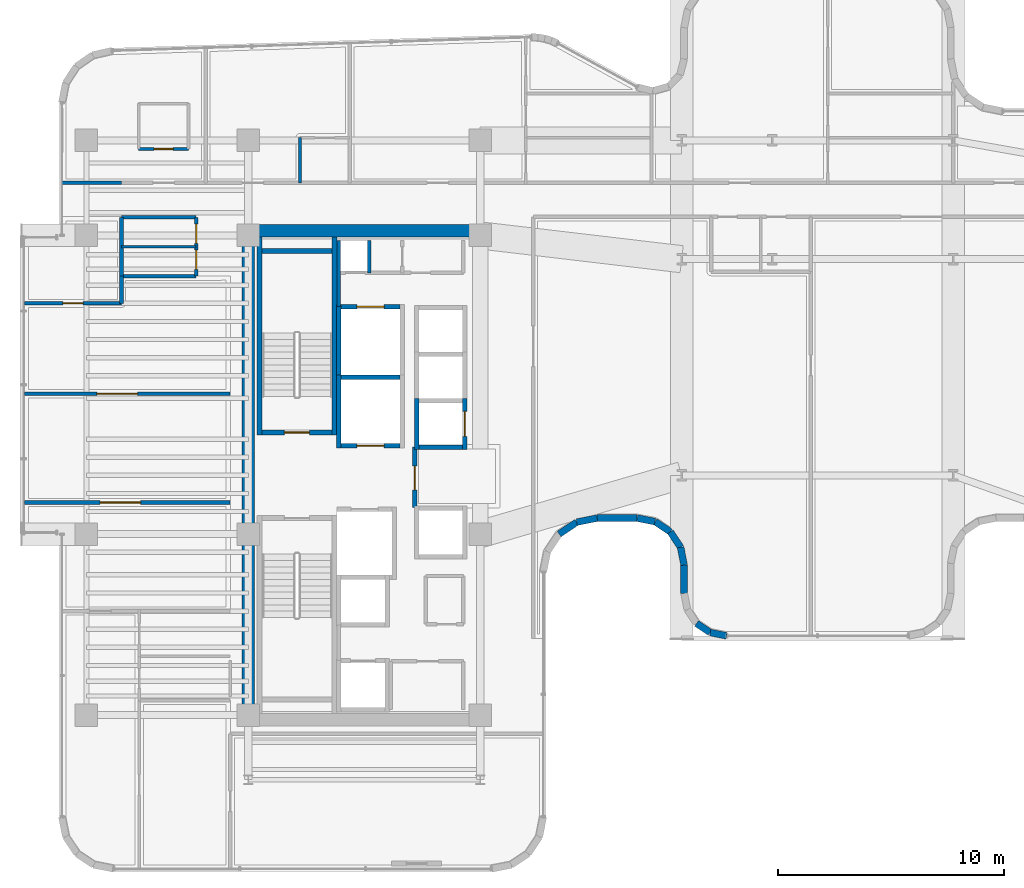
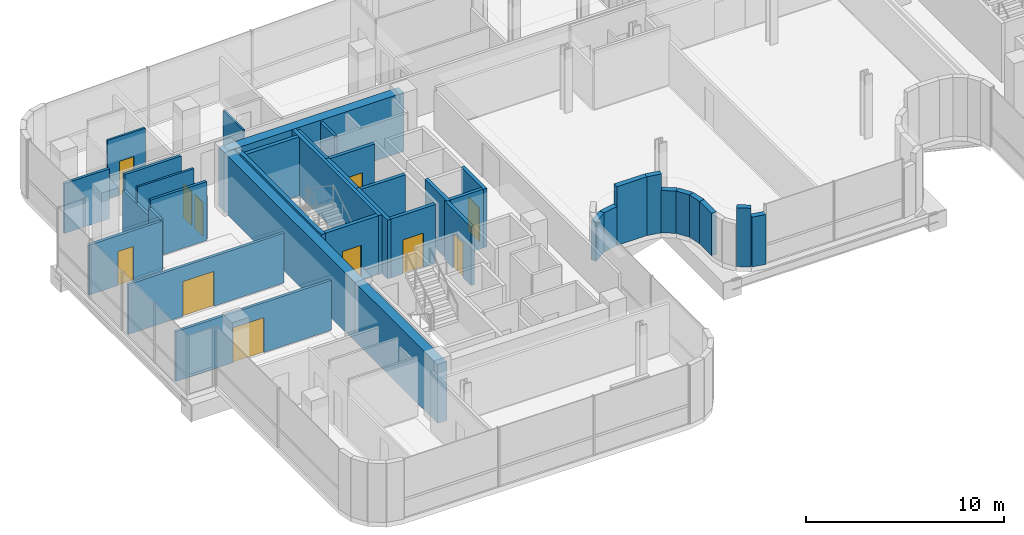
# One storey, part 27 of 38: 39 walls, 11 doors, 11 openings.
"""IFC4 building model written with IfcOpenShell, lengths in metres."""

import ifcopenshell
import ifcopenshell.guid

model = None  # the IFC model being written
_history = None  # IfcOwnerHistory: only IFC2X3 demands one
_inside = {}  # id of a spatial element -> (the spatial element, [elements in it])
_under = {}  # id of a project, library or spatial element -> (it, [spatial elements below it])
_declared = {}  # id of a project -> (the project, [libraries it declares])
_typed = {}  # id of a type object -> (the type object, [elements of that type])
_made_of = {}  # id of a material, layer set ... -> (it, [elements and type objects made of it])


def new_model(schema):
    """Start an empty IFC model of exactly this schema.

    Asked for "IFC4X3", IfcOpenShell would pick the latest addendum, in which some entities
    have other attributes; the version numbers below select the first issue.
    IFC2X3 requires an IfcOwnerHistory on every rooted entity: one is made here for all.
    """
    global model, _history
    if schema == "IFC4X3":
        model = ifcopenshell.file(schema_version=(4, 3, 0, 0))
    else:
        model = ifcopenshell.file(schema=schema)
    _inside.clear()
    _under.clear()
    _declared.clear()
    _typed.clear()
    _made_of.clear()
    _history = None
    if model.schema == "IFC2X3":
        org = make("IfcOrganization", Name="unknown")
        user = make(
            "IfcPersonAndOrganization",
            ThePerson=make("IfcPerson", FamilyName="unknown"),
            TheOrganization=org,
        )
        app = make(
            "IfcApplication",
            ApplicationDeveloper=org,
            Version="unknown",
            ApplicationFullName="unknown",
            ApplicationIdentifier="unknown",
        )
        _history = make(
            "IfcOwnerHistory",
            OwningUser=user,
            OwningApplication=app,
            ChangeAction="ADDED",
            CreationDate=0,
        )
    return model


def make(cls, **values):
    """One entity of the class cls with the attributes given. An attribute that is None is left unset."""
    return model.create_entity(
        cls, **{name: value for name, value in values.items() if value is not None}
    )


def rooted(cls, **values):
    """An entity with a GlobalId (a new one), such as an element, a storey or a relation."""
    return make(cls, GlobalId=ifcopenshell.guid.new(), OwnerHistory=_history, **values)


def si_unit(unit_type, name, prefix=None):
    """IfcSIUnit, for example si_unit("LENGTHUNIT", "METRE", prefix="MILLI")."""
    return make("IfcSIUnit", UnitType=unit_type, Prefix=prefix, Name=name)


def assignment(units):
    """IfcUnitAssignment: the units of a project."""
    return None if units is None else make("IfcUnitAssignment", Units=units)


def point(xyz):
    """IfcCartesianPoint."""
    return None if xyz is None else make("IfcCartesianPoint", Coordinates=xyz)


def direction(xyz):
    """IfcDirection."""
    return None if xyz is None else make("IfcDirection", DirectionRatios=xyz)


def frame(location, z_axis=None, x_axis=None):
    """IfcAxis2Placement3D, a coordinate frame: its origin and axes. An axis left out is left unset."""
    return make(
        "IfcAxis2Placement3D",
        Location=point(location),
        Axis=direction(z_axis),
        RefDirection=direction(x_axis),
    )


def frame_2d(location, x_axis=None):
    """IfcAxis2Placement2D, a coordinate frame in the plane: its origin and x axis."""
    return make(
        "IfcAxis2Placement2D", Location=point(location), RefDirection=direction(x_axis)
    )


def origin():
    """The frame at (0, 0, 0) with its axes left unset."""
    return frame((0.0, 0.0, 0.0))


def place(relative_to, where):
    """IfcLocalPlacement: puts the frame where relative to a parent placement (None: the world)."""
    return make(
        "IfcLocalPlacement", PlacementRelTo=relative_to, RelativePlacement=where
    )


def context(
    kind, dimensions, precision=None, world=None, true_north=None, identifier=None
):
    """IfcGeometricRepresentationContext, for example the 3D "Model" context."""
    return make(
        "IfcGeometricRepresentationContext",
        ContextIdentifier=identifier,
        ContextType=kind,
        CoordinateSpaceDimension=dimensions,
        Precision=precision,
        WorldCoordinateSystem=world,
        TrueNorth=true_north,
    )


def subcontext(parent, identifier, kind, view, scale=None):
    """IfcGeometricRepresentationSubContext, for example "Body" below "Model"."""
    return make(
        "IfcGeometricRepresentationSubContext",
        ContextIdentifier=identifier,
        ContextType=kind,
        ParentContext=parent,
        TargetScale=scale,
        TargetView=view,
    )


def project(units=None, contexts=None):
    """IfcProject with its units and contexts."""
    return rooted(
        "IfcProject",
        Name="project",
        RepresentationContexts=contexts,
        UnitsInContext=assignment(units),
    )


def spatial(cls, under=None, at=None, **own):
    """A site, building, storey or space (cls), placed at a placement, below another one or the project."""
    s = rooted(cls, ObjectPlacement=at, **own)
    if under is not None:
        _under.setdefault(under.id(), (under, []))[1].append(s)
    return s


def profile(cls, at=None, kind="AREA", **sizes):
    """A parametric profile (cls). Its sizes go by their IFC names, for example OverallWidth=200.0."""
    return make(cls, ProfileType=kind, Position=at, **sizes)


def rectangle(**sizes):
    """IfcRectangleProfileDef."""
    return profile("IfcRectangleProfileDef", **sizes)


def extrude(swept, where, along, depth):
    """IfcExtrudedAreaSolid: the profile swept, set in the frame where, extruded along a direction by depth."""
    return make(
        "IfcExtrudedAreaSolid",
        SweptArea=swept,
        Position=where,
        ExtrudedDirection=direction(along),
        Depth=depth,
    )


def shape(context_of_items, identifier, shape_type, items):
    """IfcShapeRepresentation: the items that make up one representation, for example the "Body"."""
    return make(
        "IfcShapeRepresentation",
        ContextOfItems=context_of_items,
        RepresentationIdentifier=identifier,
        RepresentationType=shape_type,
        Items=items,
    )


def material(Name=None, Category=None):
    """IfcMaterial."""
    return make("IfcMaterial", Name=Name, Category=Category)


def layer(
    of_material, thickness, ventilated=None, Name=None, Category=None, Priority=None
):
    """IfcMaterialLayer: one layer of a wall or slab, of a material (None: an air gap)."""
    return make(
        "IfcMaterialLayer",
        Material=of_material,
        LayerThickness=thickness,
        IsVentilated=ventilated,
        Name=Name,
        Category=Category,
        Priority=Priority,
    )


def layer_set(layers, Name=None):
    """IfcMaterialLayerSet."""
    return make("IfcMaterialLayerSet", MaterialLayers=layers, LayerSetName=Name)


def made_of(thing, what):
    """Note that an element or type object is made of a material, layer set ...; save() writes the relation."""
    if what is not None:
        _made_of.setdefault(what.id(), (what, []))[1].append(thing)
    return thing


def type_object(cls, material=None, **own):
    """A type object (cls), such as IfcWallType, which elements share."""
    return made_of(rooted(cls, **own), material)


def element(
    cls,
    number,
    at=None,
    inside=None,
    cuts=None,
    type_object=None,
    material=None,
    context=None,
    identifier="Body",
    shape_type=None,
    held_by="IfcProductDefinitionShape",
    body=None,
    shapes=None,
    **own,
):
    """One element of the class cls, such as IfcWall. Its Tag is "e" and its number.

    at: its placement. inside: the storey or other place that contains it. cuts: it is an
    opening in that element (IfcRelVoidsElement). A single representation is given by context,
    identifier, shape_type and body (its items); several are given by shapes. held_by: the class
    of the entity that holds the representations. save() writes the other relations.
    """
    e = rooted(cls, Tag="e%d" % number, ObjectPlacement=at, **own)
    if body is not None:
        shapes = [shape(context, identifier, shape_type, body)]
    if shapes is not None:
        e.Representation = make(held_by, Representations=shapes)
    if inside is not None:
        _inside.setdefault(inside.id(), (inside, []))[1].append(e)
    if cuts is not None:
        rooted(
            "IfcRelVoidsElement", RelatingBuildingElement=cuts, RelatedOpeningElement=e
        )
    if type_object is not None:
        _typed.setdefault(type_object.id(), (type_object, []))[1].append(e)
    return made_of(e, material)


def fill(opening, filler):
    """IfcRelFillsElement: the door or window that sits in an opening."""
    return rooted(
        "IfcRelFillsElement",
        RelatingOpeningElement=opening,
        RelatedBuildingElement=filler,
    )


def aggregate(whole, parts):
    """IfcRelAggregates: a whole, such as a stair, and the parts it consists of."""
    return rooted("IfcRelAggregates", RelatingObject=whole, RelatedObjects=parts)


def save(model, path):
    """Write the relations noted so far, then the file.

    IfcRelAggregates (storeys below a building ...), IfcRelContainedInSpatialStructure (elements
    in a storey), IfcRelDefinesByType, IfcRelAssociatesMaterial and IfcRelDeclares: one each for
    every whole, place, type object, material and project.
    """
    for whole, parts in _under.values():
        aggregate(whole, parts)
    for where, things in _inside.values():
        rooted(
            "IfcRelContainedInSpatialStructure",
            RelatedElements=things,
            RelatingStructure=where,
        )
    for kind, things in _typed.values():
        rooted("IfcRelDefinesByType", RelatedObjects=things, RelatingType=kind)
    for what, things in _made_of.values():
        rooted("IfcRelAssociatesMaterial", RelatedObjects=things, RelatingMaterial=what)
    for by, libraries in _declared.values():
        rooted("IfcRelDeclares", RelatingContext=by, RelatedDefinitions=libraries)
    model.write(path)


model = new_model("IFC4")

# Units and contexts
model_context = context("Model", 3, precision=1e-05, world=origin(), true_north=direction((0.0, 1.0)))
body_context = subcontext(model_context, "Body", "Model", "MODEL_VIEW")
ifc_project = project(units=[si_unit("LENGTHUNIT", "METRE"), si_unit("AREAUNIT", "SQUARE_METRE"), si_unit("VOLUMEUNIT", "CUBIC_METRE"), si_unit("PLANEANGLEUNIT", "RADIAN"), si_unit("MASSUNIT", "GRAM", prefix="KILO")], contexts=[model_context])

# Site, building, storey
site_placement = place(None, origin())
site = spatial("IfcSite", under=ifc_project, at=site_placement, CompositionType="ELEMENT")
building_placement = place(site_placement, origin())
building = spatial("IfcBuilding", under=site, at=building_placement, Name="Valdorenza Pilgrim Sanctuary Tower", CompositionType="ELEMENT")
storey_placement = place(building_placement, frame((0.0, 0.0, 180.5)))
storey = spatial("IfcBuildingStorey", under=building, at=storey_placement, Name="L46", CompositionType="ELEMENT", Elevation=180.5)

# Walls
ifc_material_1 = material(Name="Acoustic twin-stud gypsum partition", Category="gypsum")
ifc_layer_1 = layer(ifc_material_1, 0.159912109375, Name="Acoustic twin-stud gypsum partition")
ifc_layer_set_1 = layer_set([ifc_layer_1], Name="Acoustic twin-stud gypsum partition")
wall_type_1 = type_object("IfcWallType", Name="WAL-COR-160", PredefinedType="PARTITIONING", material=ifc_layer_set_1)
wall_1_placement = place(storey_placement, frame((-18.64990234375, 7.449951171875, 0.0), z_axis=(0.0, 0.0, 1.0), x_axis=(0.0, 1.0, 0.0)))
element("IfcWall", 1, at=wall_1_placement, inside=storey, type_object=wall_type_1, Name="L46 Core A North Service West Wall", PredefinedType="PARTITIONING", context=body_context, shape_type="SweptSolid", body=[
    extrude(rectangle(XDim=2.929931640625, YDim=0.159912109375, at=frame_2d((1.46484375, 0.0))), origin(), (0.0, 0.0, 1.0), 3.6298828125),
])
wall_2_placement = place(storey_placement, frame((-17.300048828125, 8.949951171875, 0.0), z_axis=(0.0, 0.0, 1.0), x_axis=(0.0, 1.0, 0.0)))
element("IfcWall", 2, at=wall_2_placement, inside=storey, type_object=wall_type_1, Name="L46 Core Electrical Riser Wall", PredefinedType="PARTITIONING", context=body_context, shape_type="SweptSolid", body=[
    extrude(rectangle(XDim=1.429931640625, YDim=0.159912109375, at=frame_2d((0.71484375, 0.0))), origin(), (0.0, 0.0, 1.0), 3.6298828125),
])
wall_3_placement = place(storey_placement, frame((-28.25, 8.800048828125, 0.0), z_axis=(0.0, 0.0, 1.0), x_axis=(0.0, 1.0, 0.0)))
element("IfcWall", 3, at=wall_3_placement, inside=storey, type_object=wall_type_1, Name="L46 Washroom West Wall", PredefinedType="PARTITIONING", context=body_context, shape_type="SweptSolid", body=[
    extrude(rectangle(XDim=2.599853515625, YDim=0.159912109375, at=frame_2d((1.2998046875, 0.0))), origin(), (0.0, 0.0, 1.0), 2.6650390625),
])

# Wall, openings, doors
wall_4_placement = place(storey_placement, frame((-24.949951171875, 8.800048828125, 0.0), z_axis=(0.0, 0.0, 1.0), x_axis=(0.0, 1.0, 0.0)))
wall_4 = element("IfcWall", 4, at=wall_4_placement, inside=storey, type_object=wall_type_1, Name="L46 Washroom East Wall", PredefinedType="PARTITIONING", context=body_context, shape_type="SweptSolid", body=[
    extrude(rectangle(XDim=2.599853515625, YDim=0.159912109375, at=frame_2d((1.2998046875, 0.0))), origin(), (0.0, 0.0, 1.0), 2.6650390625),
])
opening_1_placement = place(wall_4_placement, frame((0.300048828125, 0.0, 0.0)))
opening_1 = element("IfcOpeningElement", 5, at=opening_1_placement, cuts=wall_4, Name="Opening DR-WC1", PredefinedType="OPENING", context=body_context, shape_type="SweptSolid", body=[
    extrude(rectangle(XDim=0.85009765625, YDim=2.10009765625, at=frame_2d((0.425048828125, 1.050048828125))), frame((0.0, 0.0947265625, 0.0), z_axis=(0.0, -1.0, 0.0), x_axis=(1.0, 0.0, 0.0)), (0.0, 0.0, 1.0), 0.189697265625),
])
opening_2_placement = place(wall_4_placement, frame((1.449951171875, 0.0, 0.0)))
opening_2 = element("IfcOpeningElement", 6, at=opening_2_placement, cuts=wall_4, Name="Opening DR-WC1", PredefinedType="OPENING", context=body_context, shape_type="SweptSolid", body=[
    extrude(rectangle(XDim=0.85009765625, YDim=2.10009765625, at=frame_2d((0.425048828125, 1.050048828125))), frame((0.0, 0.0947265625, 0.0), z_axis=(0.0, -1.0, 0.0), x_axis=(1.0, 0.0, 0.0)), (0.0, 0.0, 1.0), 0.189697265625),
])
ifc_material_2 = material(Name="Moisture-resistant lacquered timber", Category="wood")
door_type_1 = type_object("IfcDoorType", Name="DR-BATH-850", OperationType="NOTDEFINED", PredefinedType="DOOR", material=ifc_material_2)
door_1_placement = place(opening_1_placement, origin())
door_1 = element("IfcDoor", 7, at=door_1_placement, inside=storey, type_object=door_type_1, Name="L46 Accessible Washroom Door", OperationType="SINGLE_SWING_LEFT", OverallHeight=2.10009765625, OverallWidth=0.85009765625, PredefinedType="DOOR", context=body_context, shape_type="SweptSolid", body=[
    extrude(rectangle(XDim=0.85009765625, YDim=2.10009765625, at=frame_2d((0.425048828125, 1.050048828125))), frame((0.0, 0.02490234375, 0.0), z_axis=(0.0, -1.0, 0.0), x_axis=(1.0, 0.0, 0.0)), (0.0, 0.0, 1.0), 0.050048828125),
])
fill(opening_1, door_1)
door_2_placement = place(opening_2_placement, origin())
door_2 = element("IfcDoor", 8, at=door_2_placement, inside=storey, type_object=door_type_1, Name="L46 Public Washroom Door", OperationType="SINGLE_SWING_RIGHT", OverallHeight=2.10009765625, OverallWidth=0.85009765625, PredefinedType="DOOR", context=body_context, shape_type="SweptSolid", body=[
    extrude(rectangle(XDim=0.85009765625, YDim=2.10009765625, at=frame_2d((0.425048828125, 1.050048828125))), frame((0.0, 0.02490234375, 0.0), z_axis=(0.0, -1.0, 0.0), x_axis=(1.0, 0.0, 0.0)), (0.0, 0.0, 1.0), 0.050048828125),
])
fill(opening_2, door_2)

# Walls
for number, where, z_axis, x_axis, name in (
    (9, (-28.25, 8.800048828125, 0.0), (0.0, 0.0, 1.0), (1.0, 0.0, 0.0), "L46 Washroom South Wall"),
    (10, (-28.25, 11.39990234375, 0.0), (0.0, 0.0, 1.0), (1.0, 0.0, 0.0), "L46 Washroom North Wall"),
):
    element("IfcWall", number, at=place(storey_placement, frame(where, z_axis=z_axis, x_axis=x_axis)), inside=storey, type_object=wall_type_1, Name=name, PredefinedType="PARTITIONING", context=body_context, shape_type="SweptSolid", body=[
        extrude(rectangle(XDim=3.300048828125, YDim=0.159912109375, at=frame_2d((1.64990234375, 0.0))), origin(), (0.0, 0.0, 1.0), 3.6298828125),
    ])

# Wall, opening, door
wall_5_placement = place(storey_placement, frame((-32.5400390625, 7.60009765625, 0.0), z_axis=(0.0, 0.0, 1.0), x_axis=(1.0, 0.0, 0.0)))
wall_5 = element("IfcWall", 11, at=wall_5_placement, inside=storey, type_object=wall_type_1, Name="L46 Cloister North Room Wall", PredefinedType="PARTITIONING", context=body_context, shape_type="SweptSolid", body=[
    extrude(rectangle(XDim=4.2900390625, YDim=0.159912109375, at=frame_2d((2.14501953125, 0.0))), origin(), (0.0, 0.0, 1.0), 3.075927734375),
])
opening_3_placement = place(wall_5_placement, frame((1.695068359375, 0.0, 0.0)))
opening_3 = element("IfcOpeningElement", 12, at=opening_3_placement, cuts=wall_5, Name="Opening DR-RM1", PredefinedType="OPENING", context=body_context, shape_type="SweptSolid", body=[
    extrude(rectangle(XDim=0.89990234375, YDim=2.10009765625, at=frame_2d((0.449951171875, 1.050048828125))), frame((0.0, 0.0947265625, 0.0), z_axis=(0.0, -1.0, 0.0), x_axis=(1.0, 0.0, 0.0)), (0.0, 0.0, 1.0), 0.189697265625),
])
ifc_material_3 = material(Name="Solid-core European oak timber", Category="wood")
door_type_2 = type_object("IfcDoorType", Name="DR-ROOM-900", OperationType="NOTDEFINED", PredefinedType="DOOR", material=ifc_material_3)
door_3_placement = place(opening_3_placement, frame((0.89990234375, 0.0, 0.0), z_axis=(0.0, 0.0, 1.0), x_axis=(-1.0, 0.0, 0.0)))
door_3 = element("IfcDoor", 13, at=door_3_placement, inside=storey, type_object=door_type_2, Name="L46 Pilgrim Scholar Office L46-1 Door", OperationType="SINGLE_SWING_LEFT", OverallHeight=2.10009765625, OverallWidth=0.89990234375, PredefinedType="DOOR", context=body_context, shape_type="SweptSolid", body=[
    extrude(rectangle(XDim=0.89990234375, YDim=2.10009765625, at=frame_2d((0.449951171875, 1.050048828125))), frame((0.0, 0.02490234375, 0.0), z_axis=(0.0, -1.0, 0.0), x_axis=(1.0, 0.0, 0.0)), (0.0, 0.0, 1.0), 0.050048828125),
])
fill(opening_3, door_3)

# Wall
wall_6_placement = place(storey_placement, frame((-28.25, 7.60009765625, 0.0), z_axis=(0.0, 0.0, 1.0), x_axis=(0.0, 1.0, 0.0)))
element("IfcWall", 14, at=wall_6_placement, inside=storey, type_object=wall_type_1, Name="L46 Cloister NE Closure", PredefinedType="PARTITIONING", context=body_context, shape_type="SweptSolid", body=[
    extrude(rectangle(XDim=1.199951171875, YDim=0.159912109375, at=frame_2d((0.60009765625, 0.0))), origin(), (0.0, 0.0, 1.0), 3.157958984375),
])

# Wall, opening, door
wall_7_placement = place(storey_placement, frame((-32.5400390625, -1.199951171875, 0.0), z_axis=(0.0, 0.0, 1.0), x_axis=(1.0, 0.0, 0.0)))
wall_7 = element("IfcWall", 15, at=wall_7_placement, inside=storey, type_object=wall_type_1, Name="L46 Cloister Mid Wall 1", PredefinedType="PARTITIONING", context=body_context, shape_type="SweptSolid", body=[
    extrude(rectangle(XDim=9.090087890625, YDim=0.159912109375, at=frame_2d((4.544921875, 0.0))), origin(), (0.0, 0.0, 1.0), 3.075927734375),
])
opening_4_placement = place(wall_7_placement, frame((3.340087890625, 0.0, 0.0)))
opening_4 = element("IfcOpeningElement", 16, at=opening_4_placement, cuts=wall_7, Name="Opening DR-HL1", PredefinedType="OPENING", context=body_context, shape_type="SweptSolid", body=[
    extrude(rectangle(XDim=1.800048828125, YDim=2.14990234375, at=frame_2d((0.89990234375, 1.074951171875))), frame((0.0, 0.0947265625, 0.0), z_axis=(0.0, -1.0, 0.0), x_axis=(1.0, 0.0, 0.0)), (0.0, 0.0, 1.0), 0.189697265625),
])
ifc_material_4 = material(Name="Acoustic oak and vision-glass double door", Category="glass")
door_type_3 = type_object("IfcDoorType", Name="DR-HALL-1800", OperationType="NOTDEFINED", PredefinedType="DOOR", material=ifc_material_4)
door_4_placement = place(opening_4_placement, origin())
door_4 = element("IfcDoor", 17, at=door_4_placement, inside=storey, type_object=door_type_3, Name="L46 Cloister South-Mid Double Door", OperationType="DOUBLE_DOOR_SINGLE_SWING", OverallHeight=2.14990234375, OverallWidth=1.800048828125, PredefinedType="DOOR", context=body_context, shape_type="SweptSolid", body=[
    extrude(rectangle(XDim=1.800048828125, YDim=2.14990234375, at=frame_2d((0.89990234375, 1.074951171875))), frame((0.0, 0.02490234375, 0.0), z_axis=(0.0, -1.0, 0.0), x_axis=(1.0, 0.0, 0.0)), (0.0, 0.0, 1.0), 0.050048828125),
])
fill(opening_4, door_4)

wall_8_placement = place(storey_placement, frame((-32.5400390625, 3.60009765625, 0.0), z_axis=(0.0, 0.0, 1.0), x_axis=(1.0, 0.0, 0.0)))
wall_8 = element("IfcWall", 18, at=wall_8_placement, inside=storey, type_object=wall_type_1, Name="L46 Cloister Mid Wall 2", PredefinedType="PARTITIONING", context=body_context, shape_type="SweptSolid", body=[
    extrude(rectangle(XDim=9.090087890625, YDim=0.159912109375, at=frame_2d((4.544921875, 0.0))), origin(), (0.0, 0.0, 1.0), 3.075927734375),
])
opening_5_placement = place(wall_8_placement, frame((3.199951171875, 0.0, 0.0)))
opening_5 = element("IfcOpeningElement", 19, at=opening_5_placement, cuts=wall_8, Name="Opening DR-HL1", PredefinedType="OPENING", context=body_context, shape_type="SweptSolid", body=[
    extrude(rectangle(XDim=1.800048828125, YDim=2.14990234375, at=frame_2d((0.89990234375, 1.074951171875))), frame((0.0, 0.0947265625, 0.0), z_axis=(0.0, -1.0, 0.0), x_axis=(1.0, 0.0, 0.0)), (0.0, 0.0, 1.0), 0.189697265625),
])
door_5_placement = place(opening_5_placement, frame((1.800048828125, 0.0, 0.0), z_axis=(0.0, 0.0, 1.0), x_axis=(-1.0, 0.0, 0.0)))
door_5 = element("IfcDoor", 20, at=door_5_placement, inside=storey, type_object=door_type_3, Name="L46 Cloister Mid-North Double Door", OperationType="DOUBLE_DOOR_SINGLE_SWING", OverallHeight=2.14990234375, OverallWidth=1.800048828125, PredefinedType="DOOR", context=body_context, shape_type="SweptSolid", body=[
    extrude(rectangle(XDim=1.800048828125, YDim=2.14990234375, at=frame_2d((0.89990234375, 1.074951171875))), frame((0.0, 0.02490234375, 0.0), z_axis=(0.0, -1.0, 0.0), x_axis=(1.0, 0.0, 0.0)), (0.0, 0.0, 1.0), 0.050048828125),
])
fill(opening_5, door_5)

# Walls
wall_9_placement = place(storey_placement, frame((-30.889892578125, 12.919921875, 0.0), z_axis=(0.0, 0.0, 1.0), x_axis=(1.0, 0.0, 0.0)))
element("IfcWall", 21, at=wall_9_placement, inside=storey, type_object=wall_type_1, Name="L46 Cloister North Solid Partition", PredefinedType="PARTITIONING", context=body_context, shape_type="SweptSolid", body=[
    extrude(rectangle(XDim=2.639892578125, YDim=0.159912109375, at=frame_2d((1.31982421875, 0.0))), origin(), (0.0, 0.0, 1.0), 3.075927734375),
])
ifc_material_5 = material(Name="Concrete C50/60", Category="concrete")
ifc_layer_2 = layer(ifc_material_5, 0.550048828125, Name="Concrete C50/60")
ifc_layer_set_2 = layer_set([ifc_layer_2], Name="Concrete C50/60")
wall_type_2 = type_object("IfcWallType", Name="WAL-COR-550", PredefinedType="SHEAR", material=ifc_layer_set_2)
wall_10_placement = place(storey_placement, frame((-22.64990234375, -11.074951171875, 0.0), z_axis=(0.0, 0.0, 1.0), x_axis=(0.0, 1.0, 0.0)))
element("IfcWall", 22, at=wall_10_placement, inside=storey, type_object=wall_type_2, Name="L46 Split Core A Shear Wall W", PredefinedType="SHEAR", context=body_context, shape_type="SweptSolid", body=[
    extrude(rectangle(XDim=22.14990234375, YDim=0.550048828125, at=frame_2d((11.074951171875, 0.0))), origin(), (0.0, 0.0, 1.0), 3.6298828125),
])
wall_11_placement = place(storey_placement, frame((-22.64990234375, 10.800048828125, 0.0), z_axis=(0.0, 0.0, 1.0), x_axis=(1.0, 0.0, 0.0)))
element("IfcWall", 23, at=wall_11_placement, inside=storey, type_object=wall_type_2, Name="L46 Split Core A Shear Wall N", PredefinedType="SHEAR", context=body_context, shape_type="SweptSolid", body=[
    extrude(rectangle(XDim=10.25, YDim=0.550048828125, at=frame_2d((5.125, 0.0))), origin(), (0.0, 0.0, 1.0), 3.6298828125),
])
ifc_material_6 = material(Name="Honed travertine limestone", Category="masonry")
ifc_layer_3 = layer(ifc_material_6, 0.300048828125, Name="Honed travertine limestone")
ifc_layer_set_3 = layer_set([ifc_layer_3], Name="Honed travertine limestone")
wall_type_3 = type_object("IfcWallType", Name="WAL-EXT-300", PredefinedType="SOLIDWALL", material=ifc_layer_set_3)
wall_12_placement = place(storey_placement, frame((-1.51318359375, -7.090087890625, 0.0), z_axis=(0.0, 0.0, 1.0), x_axis=(-0.980783640462, 0.195098566376, 0.0)))
element("IfcWall", 24, at=wall_12_placement, inside=storey, type_object=wall_type_3, Name="L46 Rounded Wind-Corner Stone Pier 63", PredefinedType="SOLIDWALL", context=body_context, shape_type="SweptSolid", body=[
    extrude(rectangle(XDim=0.73828125, YDim=0.300048828125, at=frame_2d((0.369140625, 0.0))), origin(), (0.0, 0.0, 1.0), 3.075927734375),
])
wall_13_placement = place(storey_placement, frame((-2.2373046875, -6.946044921875, 0.0), z_axis=(0.0, 0.0, 1.0), x_axis=(-0.831378135196, 0.555707113792, 0.0)))
element("IfcWall", 25, at=wall_13_placement, inside=storey, type_object=wall_type_3, Name="L46 Rounded Wind-Corner Stone Pier 64", PredefinedType="SOLIDWALL", context=body_context, shape_type="SweptSolid", body=[
    extrude(rectangle(XDim=0.72705078125, YDim=0.300048828125, at=frame_2d((0.363525390625, 0.0))), origin(), (0.0, 0.0, 1.0), 3.6298828125),
])
wall_14_placement = place(storey_placement, frame((-3.389892578125, -5.213134765625, 0.0), z_axis=(0.0, 0.0, 1.0), x_axis=(0.0, 1.0, 0.0)))
element("IfcWall", 26, at=wall_14_placement, inside=storey, type_object=wall_type_3, Name="L46 Rounded Wind-Corner Stone Pier 67", PredefinedType="SOLIDWALL", context=body_context, shape_type="SweptSolid", body=[
    extrude(rectangle(XDim=1.248046875, YDim=0.300048828125, at=frame_2d((0.6240234375, 0.0))), origin(), (0.0, 0.0, 1.0), 2.614990234375),
])
wall_15_placement = place(storey_placement, frame((-3.389892578125, -3.965087890625, 0.0), z_axis=(0.0, 0.0, 1.0), x_axis=(-0.195356525272, 0.980732291726, 0.0)))
element("IfcWall", 27, at=wall_15_placement, inside=storey, type_object=wall_type_3, Name="L46 Rounded Wind-Corner Stone Pier 68", PredefinedType="SOLIDWALL", context=body_context, shape_type="SweptSolid", body=[
    extrude(rectangle(XDim=0.803466796875, YDim=0.300048828125, at=frame_2d((0.40185546875, 0.0))), origin(), (0.0, 0.0, 1.0), 2.614990234375),
])
for number, where, z_axis, x_axis, name in (
    (28, (-3.546875, -3.177001953125, 0.0), (0.0, 0.0, 1.0), (-0.555529688413, 0.831496701913, 0.0), "L46 Rounded Wind-Corner Stone Pier 69"),
    (29, (-3.99951171875, -2.49951171875, 0.0), (0.0, 0.0, 1.0), (-0.831496701913, 0.555529688413, 0.0), "L46 Rounded Wind-Corner Stone Pier 70"),
):
    element("IfcWall", number, at=place(storey_placement, frame(where, z_axis=z_axis, x_axis=x_axis)), inside=storey, type_object=wall_type_3, Name=name, PredefinedType="SOLIDWALL", context=body_context, shape_type="SweptSolid", body=[
        extrude(rectangle(XDim=0.814697265625, YDim=0.300048828125, at=frame_2d((0.4072265625, 0.0))), origin(), (0.0, 0.0, 1.0), 2.614990234375),
    ])
wall_16_placement = place(storey_placement, frame((-4.677001953125, -2.046875, 0.0), z_axis=(0.0, 0.0, 1.0), x_axis=(-0.980732291726, 0.195356525272, 0.0)))
element("IfcWall", 30, at=wall_16_placement, inside=storey, type_object=wall_type_3, Name="L46 Rounded Wind-Corner Stone Pier 71", PredefinedType="SOLIDWALL", context=body_context, shape_type="SweptSolid", body=[
    extrude(rectangle(XDim=0.803466796875, YDim=0.300048828125, at=frame_2d((0.40185546875, 0.0))), origin(), (0.0, 0.0, 1.0), 3.6298828125),
])
wall_17_placement = place(storey_placement, frame((-5.465087890625, -1.889892578125, 0.0), z_axis=(0.0, 0.0, 1.0), x_axis=(-1.0, 0.0, 0.0)))
element("IfcWall", 31, at=wall_17_placement, inside=storey, type_object=wall_type_3, Name="L46 Rounded Wind-Corner Stone Pier 72", PredefinedType="SOLIDWALL", context=body_context, shape_type="SweptSolid", body=[
    extrude(rectangle(XDim=1.765625, YDim=0.300048828125, at=frame_2d((0.8828125, 0.0))), origin(), (0.0, 0.0, 1.0), 3.6298828125),
])
wall_18_placement = place(storey_placement, frame((-7.230712890625, -1.889892578125, 0.0), z_axis=(0.0, 0.0, 1.0), x_axis=(-0.980743190895, -0.195301801101, 0.0)))
element("IfcWall", 32, at=wall_18_placement, inside=storey, type_object=wall_type_3, Name="L46 Rounded Wind-Corner Stone Pier 73", PredefinedType="SOLIDWALL", context=body_context, shape_type="SweptSolid", body=[
    extrude(rectangle(XDim=0.922607421875, YDim=0.300048828125, at=frame_2d((0.46142578125, 0.0))), origin(), (0.0, 0.0, 1.0), 2.4150390625),
])
wall_19_placement = place(storey_placement, frame((-8.135498046875, -2.070068359375, 0.0), z_axis=(0.0, 0.0, 1.0), x_axis=(-0.831607331814, -0.555364065883, 0.0)))
element("IfcWall", 33, at=wall_19_placement, inside=storey, type_object=wall_type_3, Name="L46 Rounded Wind-Corner Stone Pier 74", PredefinedType="SOLIDWALL", context=body_context, shape_type="SweptSolid", body=[
    extrude(rectangle(XDim=0.933349609375, YDim=0.300048828125, at=frame_2d((0.466796875, 0.0))), origin(), (0.0, 0.0, 1.0), 2.4150390625),
])

# Wall, opening, door
ifc_material_7 = material(Name="Gypsum shaftwall partition", Category="gypsum")
ifc_layer_4 = layer(ifc_material_7, 0.199951171875, Name="Gypsum shaftwall partition")
ifc_layer_set_4 = layer_set([ifc_layer_4], Name="Gypsum shaftwall partition")
wall_type_4 = type_object("IfcWallType", Name="WAL-FFL-200", PredefinedType="PARTITIONING", material=ifc_layer_set_4)
wall_20_placement = place(storey_placement, frame((-15.300048828125, -1.419921875, 0.0), z_axis=(0.0, 0.0, 1.0), x_axis=(0.0, 1.0, 0.0)))
wall_20 = element("IfcWall", 34, at=wall_20_placement, inside=storey, type_object=wall_type_4, Name="L46 Core A Firefighting Lobby East Wall", PredefinedType="PARTITIONING", context=body_context, shape_type="SweptSolid", body=[
    extrude(rectangle(XDim=2.669921875, YDim=0.199951171875, at=frame_2d((1.3349609375, 0.0))), origin(), (0.0, 0.0, 1.0), 3.6298828125),
])
opening_6_placement = place(wall_20_placement, frame((0.780029296875, 0.0, 0.0)))
opening_6 = element("IfcOpeningElement", 35, at=opening_6_placement, cuts=wall_20, Name="Opening DR-FL1", PredefinedType="OPENING", context=body_context, shape_type="SweptSolid", body=[
    extrude(rectangle(XDim=1.050048828125, YDim=2.14990234375, at=frame_2d((0.52490234375, 1.074951171875))), frame((0.0, 0.11474609375, 0.0), z_axis=(0.0, -1.0, 0.0), x_axis=(1.0, 0.0, 0.0)), (0.0, 0.0, 1.0), 0.229736328125),
])
ifc_material_8 = material(Name="Painted galvanized steel", Category="steel")
door_type_4 = type_object("IfcDoorType", Name="DR-FFL-1050", OperationType="NOTDEFINED", PredefinedType="DOOR", material=ifc_material_8)
door_6_placement = place(opening_6_placement, origin())
door_6 = element("IfcDoor", 36, at=door_6_placement, inside=storey, type_object=door_type_4, Name="L46 Core A Firefighting Lobby Door", OperationType="SINGLE_SWING_RIGHT", OverallHeight=2.14990234375, OverallWidth=1.050048828125, PredefinedType="DOOR", context=body_context, shape_type="SweptSolid", body=[
    extrude(rectangle(XDim=1.050048828125, YDim=2.14990234375, at=frame_2d((0.52490234375, 1.074951171875))), frame((0.0, 0.02490234375, 0.0), z_axis=(0.0, -1.0, 0.0), x_axis=(1.0, 0.0, 0.0)), (0.0, 0.0, 1.0), 0.050048828125),
])
fill(opening_6, door_6)

# Wall
ifc_material_9 = material(Name="Moisture-resistant gypsum partition", Category="gypsum")
ifc_layer_5 = layer(ifc_material_9, 0.1201171875, Name="Moisture-resistant gypsum partition")
ifc_layer_set_5 = layer_set([ifc_layer_5], Name="Moisture-resistant gypsum partition")
wall_type_5 = type_object("IfcWallType", Name="WAL-INT-120", PredefinedType="PARTITIONING", material=ifc_layer_set_5)
wall_21_placement = place(storey_placement, frame((-28.25, 10.10009765625, 0.0), z_axis=(0.0, 0.0, 1.0), x_axis=(1.0, 0.0, 0.0)))
element("IfcWall", 37, at=wall_21_placement, inside=storey, type_object=wall_type_5, Name="L46 Washroom Divider Wall", PredefinedType="PARTITIONING", context=body_context, shape_type="SweptSolid", body=[
    extrude(rectangle(XDim=3.300048828125, YDim=0.1201171875, at=frame_2d((1.64990234375, 0.0))), origin(), (0.0, 0.0, 1.0), 3.6298828125),
])

# Wall, opening, door
wall_22_placement = place(storey_placement, frame((-27.4892578125, 14.419921875, 0.0), z_axis=(0.0, 0.0, 1.0), x_axis=(1.0, 0.0, 0.0)))
wall_22 = element("IfcWall", 38, at=wall_22_placement, inside=storey, type_object=wall_type_5, Name="L46 North Family Guest Room L46-N1A En-suite Door Wall", PredefinedType="PARTITIONING", context=body_context, shape_type="SweptSolid", body=[
    extrude(rectangle(XDim=2.199951171875, YDim=0.1201171875, at=frame_2d((1.10009765625, 0.0))), origin(), (0.0, 0.0, 1.0), 3.6298828125),
])
opening_7_placement = place(wall_22_placement, frame((0.675048828125, 0.0, 0.0)))
opening_7 = element("IfcOpeningElement", 39, at=opening_7_placement, cuts=wall_22, Name="Opening DR-WC1", PredefinedType="OPENING", context=body_context, shape_type="SweptSolid", body=[
    extrude(rectangle(XDim=0.85009765625, YDim=2.10009765625, at=frame_2d((0.425048828125, 1.050048828125))), frame((0.0, 0.074951171875, 0.0), z_axis=(0.0, -1.0, 0.0), x_axis=(1.0, 0.0, 0.0)), (0.0, 0.0, 1.0), 0.14990234375),
])
door_7_placement = place(opening_7_placement, origin())
door_7 = element("IfcDoor", 40, at=door_7_placement, inside=storey, type_object=door_type_1, Name="L46 North Family Guest Room L46-N1A En-suite Bathroom Door", OperationType="SINGLE_SWING_RIGHT", OverallHeight=2.10009765625, OverallWidth=0.85009765625, PredefinedType="DOOR", context=body_context, shape_type="SweptSolid", body=[
    extrude(rectangle(XDim=0.85009765625, YDim=2.10009765625, at=frame_2d((0.425048828125, 1.050048828125))), frame((0.0, 0.02490234375, 0.0), z_axis=(0.0, -1.0, 0.0), x_axis=(1.0, 0.0, 0.0)), (0.0, 0.0, 1.0), 0.050048828125),
])
fill(opening_7, door_7)

# Walls
wall_23_placement = place(storey_placement, frame((-20.366943359375, 12.919921875, 0.0), z_axis=(0.0, 0.0, 1.0), x_axis=(0.0, 1.0, 0.0)))
element("IfcWall", 41, at=wall_23_placement, inside=storey, type_object=wall_type_5, Name="L46 North Family Guest Room L46-N1B En-suite West Wall", PredefinedType="PARTITIONING", context=body_context, shape_type="SweptSolid", body=[
    extrude(rectangle(XDim=2.0, YDim=0.1201171875, at=frame_2d((1.0, 0.0))), origin(), (0.0, 0.0, 1.0), 2.6650390625),
])
ifc_material_10 = material(Name="Autoclaved aerated concrete blockwork", Category="masonry")
ifc_layer_6 = layer(ifc_material_10, 0.199951171875, Name="Autoclaved aerated concrete blockwork")
ifc_layer_set_6 = layer_set([ifc_layer_6], Name="Autoclaved aerated concrete blockwork")
wall_type_6 = type_object("IfcWallType", Name="WAL-SHF-200", PredefinedType="MOVABLE", material=ifc_layer_set_6)
wall_24_placement = place(storey_placement, frame((-18.64990234375, 1.199951171875, 0.0), z_axis=(0.0, 0.0, 1.0), x_axis=(0.0, 1.0, 0.0)))
element("IfcWall", 42, at=wall_24_placement, inside=storey, type_object=wall_type_6, Name="L46 Lift FFL-01 Hoistway Wall West", PredefinedType="MOVABLE", context=body_context, shape_type="SweptSolid", body=[
    extrude(rectangle(XDim=3.22509765625, YDim=0.199951171875, at=frame_2d((1.612548828125, 0.0))), origin(), (0.0, 0.0, 1.0), 3.6298828125),
])

# Wall, opening, door
wall_25_placement = place(storey_placement, frame((-18.550048828125, 1.300048828125, 0.0), z_axis=(0.0, 0.0, 1.0), x_axis=(1.0, 0.0, 0.0)))
wall_25 = element("IfcWall", 43, at=wall_25_placement, inside=storey, type_object=wall_type_6, Name="L46 Lift FFL-01 Hoistway Wall South", PredefinedType="MOVABLE", context=body_context, shape_type="SweptSolid", body=[
    extrude(rectangle(XDim=2.60009765625, YDim=0.199951171875, at=frame_2d((1.300048828125, 0.0))), origin(), (0.0, 0.0, 1.0), 3.6298828125),
])
opening_8_placement = place(wall_25_placement, frame((0.699951171875, 0.0, 0.0)))
opening_8 = element("IfcOpeningElement", 44, at=opening_8_placement, cuts=wall_25, Name="Opening LD-02", PredefinedType="OPENING", context=body_context, shape_type="SweptSolid", body=[
    extrude(rectangle(XDim=1.199951171875, YDim=2.10009765625, at=frame_2d((0.60009765625, 1.050048828125))), frame((0.0, 0.11474609375, 0.0), z_axis=(0.0, -1.0, 0.0), x_axis=(1.0, 0.0, 0.0)), (0.0, 0.0, 1.0), 0.229736328125),
])
ifc_material_11 = material(Name="Brushed stainless steel Grade 316", Category="steel")
door_type_5 = type_object("IfcDoorType", Name="DR-LFT-1200", OperationType="DOUBLE_DOOR_SLIDING", PredefinedType="DOOR", material=ifc_material_11)
door_8_placement = place(opening_8_placement, origin())
door_8 = element("IfcDoor", 45, at=door_8_placement, inside=storey, type_object=door_type_5, Name="L46 Lift FFL-01 Sliding Landing Door", OperationType="DOUBLE_DOOR_SLIDING", OverallHeight=2.10009765625, OverallWidth=1.199951171875, PredefinedType="DOOR", context=body_context, shape_type="SweptSolid", body=[
    extrude(rectangle(XDim=1.199951171875, YDim=2.10009765625, at=frame_2d((0.60009765625, 1.050048828125))), frame((0.0, 0.02490234375, 0.0), z_axis=(0.0, -1.0, 0.0), x_axis=(1.0, 0.0, 0.0)), (0.0, 0.0, 1.0), 0.050048828125),
])
fill(opening_8, door_8)

# Walls
wall_26_placement = place(storey_placement, frame((-18.550048828125, 4.324951171875, 0.0), z_axis=(0.0, 0.0, 1.0), x_axis=(1.0, 0.0, 0.0)))
element("IfcWall", 46, at=wall_26_placement, inside=storey, type_object=wall_type_6, Name="L46 Lift FFL-01 Hoistway Wall North", PredefinedType="MOVABLE", context=body_context, shape_type="SweptSolid", body=[
    extrude(rectangle(XDim=2.60009765625, YDim=0.199951171875, at=frame_2d((1.300048828125, 0.0))), origin(), (0.0, 0.0, 1.0), 3.6298828125),
])
wall_27_placement = place(storey_placement, frame((-18.64990234375, 4.22509765625, 0.0), z_axis=(0.0, 0.0, 1.0), x_axis=(0.0, 1.0, 0.0)))
element("IfcWall", 47, at=wall_27_placement, inside=storey, type_object=wall_type_6, Name="L46 Lift SVL-01 Hoistway Wall West", PredefinedType="MOVABLE", context=body_context, shape_type="SweptSolid", body=[
    extrude(rectangle(XDim=3.324951171875, YDim=0.199951171875, at=frame_2d((1.66259765625, 0.0))), origin(), (0.0, 0.0, 1.0), 3.6298828125),
])

# Wall, opening, door
wall_28_placement = place(storey_placement, frame((-18.550048828125, 7.449951171875, 0.0), z_axis=(0.0, 0.0, 1.0), x_axis=(1.0, 0.0, 0.0)))
wall_28 = element("IfcWall", 48, at=wall_28_placement, inside=storey, type_object=wall_type_6, Name="L46 Lift SVL-01 Hoistway Wall North", PredefinedType="MOVABLE", context=body_context, shape_type="SweptSolid", body=[
    extrude(rectangle(XDim=2.60009765625, YDim=0.199951171875, at=frame_2d((1.300048828125, 0.0))), origin(), (0.0, 0.0, 1.0), 3.6298828125),
])
opening_9_placement = place(wall_28_placement, frame((0.699951171875, 0.0, 0.0)))
opening_9 = element("IfcOpeningElement", 49, at=opening_9_placement, cuts=wall_28, Name="Opening LD-02", PredefinedType="OPENING", context=body_context, shape_type="SweptSolid", body=[
    extrude(rectangle(XDim=1.199951171875, YDim=2.10009765625, at=frame_2d((0.60009765625, 1.050048828125))), frame((0.0, 0.11474609375, 0.0), z_axis=(0.0, -1.0, 0.0), x_axis=(1.0, 0.0, 0.0)), (0.0, 0.0, 1.0), 0.229736328125),
])
door_9_placement = place(opening_9_placement, origin())
door_9 = element("IfcDoor", 50, at=door_9_placement, inside=storey, type_object=door_type_5, Name="L46 Lift SVL-01 Sliding Landing Door", OperationType="DOUBLE_DOOR_SLIDING", OverallHeight=2.10009765625, OverallWidth=1.199951171875, PredefinedType="DOOR", context=body_context, shape_type="SweptSolid", body=[
    extrude(rectangle(XDim=1.199951171875, YDim=2.10009765625, at=frame_2d((0.60009765625, 1.050048828125))), frame((0.0, 0.02490234375, 0.0), z_axis=(0.0, -1.0, 0.0), x_axis=(1.0, 0.0, 0.0)), (0.0, 0.0, 1.0), 0.050048828125),
])
fill(opening_9, door_9)

# Wall
wall_29_placement = place(storey_placement, frame((-15.199951171875, 1.14990234375, 0.0), z_axis=(0.0, 0.0, 1.0), x_axis=(0.0, 1.0, 0.0)))
element("IfcWall", 51, at=wall_29_placement, inside=storey, type_object=wall_type_6, Name="L46 Lift PL-06 Hoistway Wall West", PredefinedType="MOVABLE", context=body_context, shape_type="SweptSolid", body=[
    extrude(rectangle(XDim=2.25, YDim=0.199951171875, at=frame_2d((1.125, 0.0))), origin(), (0.0, 0.0, 1.0), 3.6298828125),
])

# Wall, opening, door
wall_30_placement = place(storey_placement, frame((-13.080078125, 1.14990234375, 0.0), z_axis=(0.0, 0.0, 1.0), x_axis=(0.0, 1.0, 0.0)))
wall_30 = element("IfcWall", 52, at=wall_30_placement, inside=storey, type_object=wall_type_6, Name="L46 Lift PL-06 Hoistway Wall East", PredefinedType="MOVABLE", context=body_context, shape_type="SweptSolid", body=[
    extrude(rectangle(XDim=2.25, YDim=0.199951171875, at=frame_2d((1.125, 0.0))), origin(), (0.0, 0.0, 1.0), 3.6298828125),
])
opening_10_placement = place(wall_30_placement, frame((0.574951171875, 0.0, 0.0)))
opening_10 = element("IfcOpeningElement", 53, at=opening_10_placement, cuts=wall_30, Name="Opening LD-01", PredefinedType="OPENING", context=body_context, shape_type="SweptSolid", body=[
    extrude(rectangle(XDim=1.10009765625, YDim=2.10009765625, at=frame_2d((0.550048828125, 1.050048828125))), frame((0.0, 0.11474609375, 0.0), z_axis=(0.0, -1.0, 0.0), x_axis=(1.0, 0.0, 0.0)), (0.0, 0.0, 1.0), 0.229736328125),
])
door_type_6 = type_object("IfcDoorType", Name="DR-LFT-1100", OperationType="DOUBLE_DOOR_SLIDING", PredefinedType="DOOR", material=ifc_material_11)
door_10_placement = place(opening_10_placement, origin())
door_10 = element("IfcDoor", 54, at=door_10_placement, inside=storey, type_object=door_type_6, Name="L46 Lift PL-06 Sliding Landing Door", OperationType="DOUBLE_DOOR_SLIDING", OverallHeight=2.10009765625, OverallWidth=1.10009765625, PredefinedType="DOOR", context=body_context, shape_type="SweptSolid", body=[
    extrude(rectangle(XDim=1.10009765625, YDim=2.10009765625, at=frame_2d((0.550048828125, 1.050048828125))), frame((0.0, 0.02490234375, 0.0), z_axis=(0.0, -1.0, 0.0), x_axis=(1.0, 0.0, 0.0)), (0.0, 0.0, 1.0), 0.050048828125),
])
fill(opening_10, door_10)

# Walls
wall_31_placement = place(storey_placement, frame((-15.10009765625, 1.25, 0.0), z_axis=(0.0, 0.0, 1.0), x_axis=(1.0, 0.0, 0.0)))
element("IfcWall", 55, at=wall_31_placement, inside=storey, type_object=wall_type_6, Name="L46 Lift PL-06 Hoistway Wall South", PredefinedType="MOVABLE", context=body_context, shape_type="SweptSolid", body=[
    extrude(rectangle(XDim=1.920166015625, YDim=0.199951171875, at=frame_2d((0.9599609375, 0.0))), origin(), (0.0, 0.0, 1.0), 3.6298828125),
])
ifc_material_12 = material(Name="Concrete C40/50", Category="concrete")
ifc_layer_7 = layer(ifc_material_12, 0.219970703125, Name="Concrete C40/50")
ifc_layer_set_7 = layer_set([ifc_layer_7], Name="Concrete C40/50")
wall_type_7 = type_object("IfcWallType", Name="WAL-STR-SHF-220", PredefinedType="SHEAR", material=ifc_layer_set_7)
for number, where, z_axis, x_axis, name in (
    (56, (-22.159912109375, 1.780029296875, 0.0), (0.0, 0.0, 1.0), (0.0, 1.0, 0.0), "L46 ST-A1 Structural Stairwell Wall W"),
    (57, (-18.830078125, 1.780029296875, 0.0), (0.0, 0.0, 1.0), (0.0, 1.0, 0.0), "L46 ST-A1 Structural Stairwell Wall E"),
):
    element("IfcWall", number, at=place(storey_placement, frame(where, z_axis=z_axis, x_axis=x_axis)), inside=storey, type_object=wall_type_7, Name=name, PredefinedType="SHEAR", context=body_context, shape_type="SweptSolid", body=[
        extrude(rectangle(XDim=8.744873046875, YDim=0.219970703125, at=frame_2d((4.37255859375, 0.0))), origin(), (0.0, 0.0, 1.0), 3.6298828125),
    ])

# Wall, opening, door
wall_32_placement = place(storey_placement, frame((-22.050048828125, 1.889892578125, 0.0), z_axis=(0.0, 0.0, 1.0), x_axis=(1.0, 0.0, 0.0)))
wall_32 = element("IfcWall", 58, at=wall_32_placement, inside=storey, type_object=wall_type_7, Name="L46 ST-A1 Structural Stairwell Wall S", PredefinedType="SHEAR", context=body_context, shape_type="SweptSolid", body=[
    extrude(rectangle(XDim=3.110107421875, YDim=0.219970703125, at=frame_2d((1.55517578125, 0.0))), origin(), (0.0, 0.0, 1.0), 3.6298828125),
])
opening_11_placement = place(wall_32_placement, frame((1.0, 0.0, 0.0)))
opening_11 = element("IfcOpeningElement", 59, at=opening_11_placement, cuts=wall_32, Name="Opening DR-ST1", PredefinedType="OPENING", context=body_context, shape_type="SweptSolid", body=[
    extrude(rectangle(XDim=1.10009765625, YDim=2.14990234375, at=frame_2d((0.550048828125, 1.074951171875))), frame((0.0, 0.125, 0.0), z_axis=(0.0, -1.0, 0.0), x_axis=(1.0, 0.0, 0.0)), (0.0, 0.0, 1.0), 0.249755859375),
])
door_type_7 = type_object("IfcDoorType", Name="DR-STAIR-1100", OperationType="NOTDEFINED", PredefinedType="DOOR", material=ifc_material_8)
door_11_placement = place(opening_11_placement, frame((1.10009765625, 0.0, 0.0), z_axis=(0.0, 0.0, 1.0), x_axis=(-1.0, 0.0, 0.0)))
door_11 = element("IfcDoor", 60, at=door_11_placement, inside=storey, type_object=door_type_7, Name="L46 Exit Stair ST-A1 Door", OperationType="SINGLE_SWING_LEFT", OverallHeight=2.14990234375, OverallWidth=1.10009765625, PredefinedType="DOOR", context=body_context, shape_type="SweptSolid", body=[
    extrude(rectangle(XDim=1.10009765625, YDim=2.14990234375, at=frame_2d((0.550048828125, 1.074951171875))), frame((0.0, 0.02490234375, 0.0), z_axis=(0.0, -1.0, 0.0), x_axis=(1.0, 0.0, 0.0)), (0.0, 0.0, 1.0), 0.050048828125),
])
fill(opening_11, door_11)

# Wall
wall_33_placement = place(storey_placement, frame((-22.050048828125, 9.909912109375, 0.0), z_axis=(0.0, 0.0, 1.0), x_axis=(1.0, 0.0, 0.0)))
element("IfcWall", 61, at=wall_33_placement, inside=storey, type_object=wall_type_7, Name="L46 ST-A1 Structural Stairwell Wall N", PredefinedType="SHEAR", context=body_context, shape_type="SweptSolid", body=[
    extrude(rectangle(XDim=3.110107421875, YDim=0.219970703125, at=frame_2d((1.55517578125, 0.0))), origin(), (0.0, 0.0, 1.0), 3.6298828125),
])

save(model, "model.ifc")
